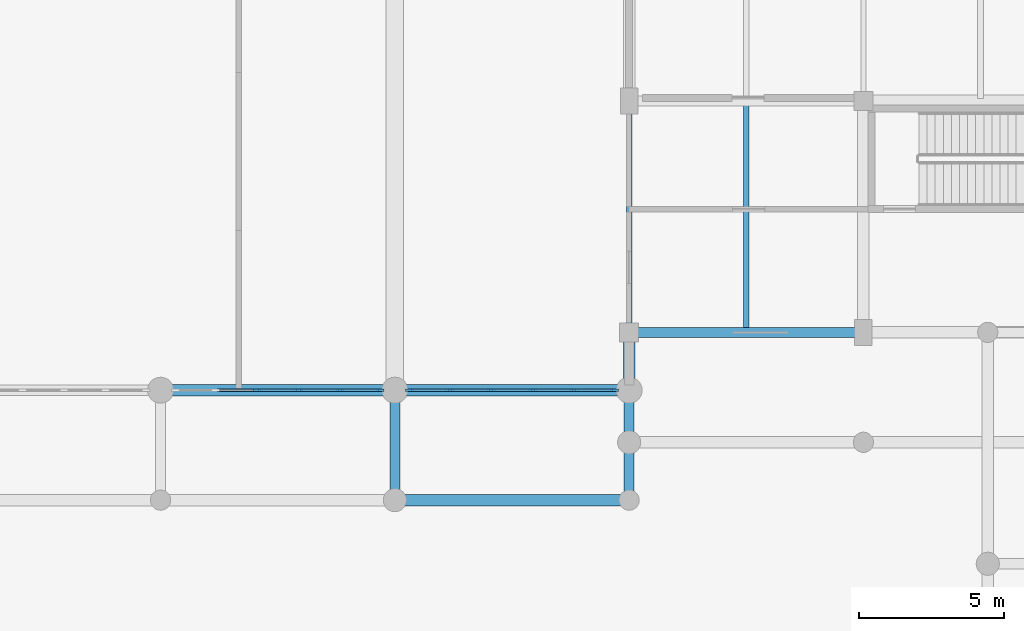
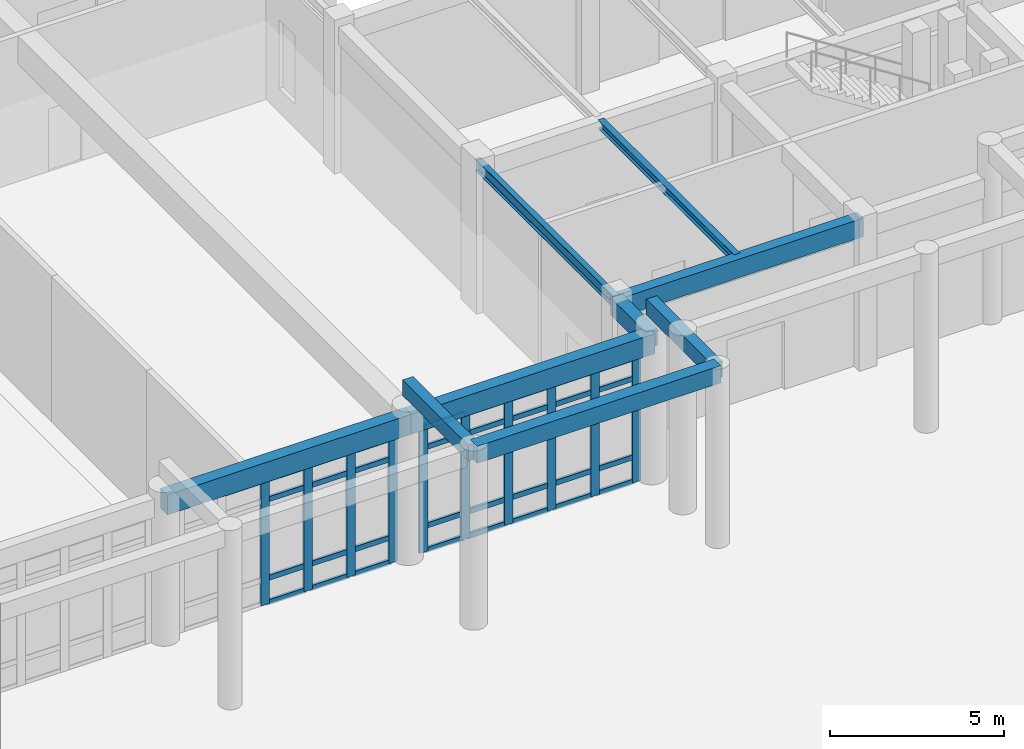
# One storey, part 9 of 62: 43 members, 9 beams, 2 elements without a shape of their own.
"""IFC4 building model written with IfcOpenShell, lengths in metres."""

from ifc_helpers import new_model, si_unit, direction, frame, origin, origin_2d, place, context, subcontext, project, spatial, rectangle, i_section, extrude, material, material_profile, profile_set, type_object, element, aggregate, save


model = new_model("IFC4")

# Units and contexts
model_context = context("Model", 3, precision=1e-05, world=origin(), true_north=direction((0.0, 1.0)))
body_context = subcontext(model_context, "Body", "Model", "MODEL_VIEW")
ifc_project = project(units=[si_unit("LENGTHUNIT", "METRE"), si_unit("AREAUNIT", "SQUARE_METRE"), si_unit("VOLUMEUNIT", "CUBIC_METRE"), si_unit("PLANEANGLEUNIT", "RADIAN"), si_unit("MASSUNIT", "GRAM", prefix="KILO")], contexts=[model_context])

# Site, building, storey
site_placement = place(None, origin())
site = spatial("IfcSite", under=ifc_project, at=site_placement, CompositionType="ELEMENT")
building_placement = place(site_placement, origin())
building = spatial("IfcBuilding", under=site, at=building_placement, Name="Tarnveldt Square Police Headquarters", CompositionType="ELEMENT")
storey_placement = place(building_placement, origin())
storey = spatial("IfcBuildingStorey", under=building, at=storey_placement, Name="L00", CompositionType="ELEMENT", Elevation=0.0)

# Beams
ifc_material_1 = material(Name="Concrete 40 MPa", Category="concrete")
ifc_material_profile_1 = material_profile(ifc_material_1, rectangle(XDim=0.35009765625, YDim=0.550048828125, at=origin_2d()), Name="RC-B350x550")
ifc_profile_set_1 = profile_set([ifc_material_profile_1], Name="Concrete 40 MPa")
beam_type_1 = type_object("IfcBeamType", Name="BM-RC350x550", PredefinedType="BEAM", material=ifc_profile_set_1)
for number, where, z_axis, x_axis, name in (
    (1, (113.39990234375, 18.199951171875, 6.0), (0.0, 1.0, 0.0), (-1.0, 0.0, 0.0), "Colonnade Tie Beam MH-14"),
    (2, (121.5, 18.199951171875, 6.0), (0.0, 1.0, 0.0), (-1.0, 0.0, 0.0), "Colonnade Tie Beam MH-15"),
):
    element("IfcBeam", number, at=place(storey_placement, frame(where, z_axis=z_axis, x_axis=x_axis)), inside=storey, type_object=beam_type_1, Name=name, PredefinedType="BEAM", context=body_context, shape_type="SweptSolid", body=[
        extrude(rectangle(XDim=0.35009765625, YDim=0.550048828125, at=origin_2d()), origin(), (0.0, 0.0, 1.0), 3.800048828125),
    ])
ifc_material_profile_2 = material_profile(ifc_material_1, rectangle(XDim=0.39990234375, YDim=0.60009765625, at=origin_2d()), Name="RC-B400x600")
ifc_profile_set_2 = profile_set([ifc_material_profile_2], Name="Concrete 40 MPa")
beam_type_2 = type_object("IfcBeamType", Name="BM-RC400x600", PredefinedType="BEAM", material=ifc_profile_set_2)
beam_1_placement = place(storey_placement, frame((121.5, 22.0, 4.820068359375), z_axis=(0.0, 1.0, 0.0), x_axis=(-1.0, 0.0, 0.0)))
element("IfcBeam", 3, at=beam_1_placement, inside=storey, type_object=beam_type_2, Name="L01 Grid Girder Y-0423", PredefinedType="BEAM", context=body_context, shape_type="SweptSolid", body=[
    extrude(rectangle(XDim=0.39990234375, YDim=0.60009765625, at=origin_2d()), origin(), (0.0, 0.0, 1.0), 2.0),
])
beam_2_placement = place(storey_placement, frame((113.39990234375, 18.199951171875, 6.0), z_axis=(1.0, 0.0, 0.0), x_axis=(0.0, 1.0, 0.0)))
element("IfcBeam", 4, at=beam_2_placement, inside=storey, type_object=beam_type_2, Name="Colonnade Header Beam MH-14", PredefinedType="BEAM", context=body_context, shape_type="SweptSolid", body=[
    extrude(rectangle(XDim=0.39990234375, YDim=0.60009765625, at=origin_2d()), origin(), (0.0, 0.0, 1.0), 8.10009765625),
])
ifc_material_profile_3 = material_profile(ifc_material_1, rectangle(XDim=0.39990234375, YDim=0.699951171875, at=origin_2d()), Name="RC-B400x700")
ifc_profile_set_3 = profile_set([ifc_material_profile_3], Name="Concrete 40 MPa")
beam_type_3 = type_object("IfcBeamType", Name="BM-RC400x700", PredefinedType="BEAM", material=ifc_profile_set_3)
beam_3_placement = place(storey_placement, frame((105.300048828125, 22.0, 4.77001953125), z_axis=(1.0, 0.0, 0.0), x_axis=(0.0, 1.0, 0.0)))
element("IfcBeam", 5, at=beam_3_placement, inside=storey, type_object=beam_type_3, Name="L01 Grid Girder X-0242", PredefinedType="BEAM", context=body_context, shape_type="SweptSolid", body=[
    extrude(rectangle(XDim=0.39990234375, YDim=0.699951171875, at=origin_2d()), origin(), (0.0, 0.0, 1.0), 8.099853515625),
])
beam_4_placement = place(storey_placement, frame((113.39990234375, 22.0, 4.77001953125), z_axis=(1.0, 0.0, 0.0), x_axis=(0.0, 1.0, 0.0)))
element("IfcBeam", 6, at=beam_4_placement, inside=storey, type_object=beam_type_3, Name="L01 Grid Girder X-0243", PredefinedType="BEAM", context=body_context, shape_type="SweptSolid", body=[
    extrude(rectangle(XDim=0.39990234375, YDim=0.699951171875, at=origin_2d()), origin(), (0.0, 0.0, 1.0), 8.10009765625),
])
ifc_material_profile_4 = material_profile(ifc_material_1, rectangle(XDim=0.35009765625, YDim=0.64990234375, at=origin_2d()), Name="RC-SP350x650")
ifc_profile_set_4 = profile_set([ifc_material_profile_4], Name="Concrete 40 MPa")
beam_type_4 = type_object("IfcBeamType", Name="BM-SP350x650", PredefinedType="SPANDREL", material=ifc_profile_set_4)
beam_5_placement = place(storey_placement, frame((121.5, 24.0, 4.794921875), z_axis=(1.0, 0.0, 0.0), x_axis=(0.0, 1.0, 0.0)))
element("IfcBeam", 7, at=beam_5_placement, inside=storey, type_object=beam_type_4, Name="L01 Grid Girder X-0247", PredefinedType="SPANDREL", context=body_context, shape_type="SweptSolid", body=[
    extrude(rectangle(XDim=0.35009765625, YDim=0.64990234375, at=origin_2d()), origin(), (0.0, 0.0, 1.0), 8.10009765625),
])
ifc_material_2 = material(Name="Steel 350W", Category="steel")
ifc_material_profile_5 = material_profile(ifc_material_2, i_section(OverallWidth=0.202880859375, OverallDepth=0.302978515625, WebThickness=0.007568359375, FlangeThickness=0.01318359375, FilletRadius=0.014892578125, at=origin_2d()), Name="W310x60")
ifc_profile_set_5 = profile_set([ifc_material_profile_5], Name="Steel 350W")
beam_type_5 = type_object("IfcBeamType", Name="BM-W310x60", PredefinedType="JOIST", material=ifc_profile_set_5)
beam_6_placement = place(storey_placement, frame((125.550048828125, 24.080078125, 4.968505859375), z_axis=(0.0, 1.0, 0.0), x_axis=(-1.0, 0.0, 0.0)))
element("IfcBeam", 8, at=beam_6_placement, inside=storey, type_object=beam_type_5, Name="L01 Secondary Floor Joist 0056", PredefinedType="JOIST", context=body_context, shape_type="SweptSolid", body=[
    extrude(i_section(OverallWidth=0.202880859375, OverallDepth=0.302978515625, WebThickness=0.007568359375, FlangeThickness=0.01318359375, FilletRadius=0.014892578125, at=origin_2d()), origin(), (0.0, 0.0, 1.0), 7.83984375),
])
ifc_material_profile_6 = material_profile(ifc_material_2, i_section(OverallWidth=0.180908203125, OverallDepth=0.4169921875, WebThickness=0.010986328125, FlangeThickness=0.018310546875, FilletRadius=0.01611328125, at=origin_2d()), Name="W410x85")
ifc_profile_set_6 = profile_set([ifc_material_profile_6], Name="Steel 350W")
beam_type_6 = type_object("IfcBeamType", Name="BM-W410x85", PredefinedType="BEAM", material=ifc_profile_set_6)
beam_7_placement = place(storey_placement, frame((121.5, 24.0, 4.91162109375), z_axis=(0.0, 1.0, 0.0), x_axis=(-1.0, 0.0, 0.0)))
element("IfcBeam", 9, at=beam_7_placement, inside=storey, type_object=beam_type_6, Name="L01 Grid Girder Y-0424", PredefinedType="BEAM", context=body_context, shape_type="SweptSolid", body=[
    extrude(i_section(OverallWidth=0.180908203125, OverallDepth=0.4169921875, WebThickness=0.010986328125, FlangeThickness=0.018310546875, FilletRadius=0.01611328125, at=origin_2d()), origin(), (0.0, 0.0, 1.0), 8.0),
])

# Curtain wall, members
ifc_material_3 = material(Name="Triple-glazed low-e laminated vision glass", Category="glass")
curtain_wall_type = type_object("IfcCurtainWallType", Name="CW-EH-717x441", PredefinedType="USERDEFINED", material=ifc_material_3)
curtain_wall_1_placement = place(storey_placement, origin())
curtain_wall_1 = element("IfcCurtainWall", 10, at=curtain_wall_1_placement, inside=storey, type_object=curtain_wall_type, Name="L00 Curtain Wall CW-L00-005", ObjectType="GLAZED CURTAIN WALL", PredefinedType="USERDEFINED")
ifc_material_4 = material(Name="Thermally broken anodised aluminium 6063-T6", Category="aluminium")
ifc_material_profile_7 = material_profile(ifc_material_4, rectangle(XDim=0.090087890625, YDim=0.280029296875, at=origin_2d()), Name="CW-M90x280")
ifc_profile_set_7 = profile_set([ifc_material_profile_7], Name="Thermally broken anodised aluminium 6063-T6")
member_type_1 = type_object("IfcMemberType", Name="CWM-90x280", PredefinedType="MULLION", material=ifc_profile_set_7)
member_1_placement = place(storey_placement, frame((108.633056640625, 22.0, 0.0), z_axis=(0.0, 0.0, 1.0), x_axis=(0.0, 1.0, 0.0)))
member_1 = element("IfcMember", 11, at=member_1_placement, type_object=member_type_1, Name="CW-EH03 mullion 3", PredefinedType="MULLION", context=body_context, shape_type="SweptSolid", body=[
    extrude(rectangle(XDim=0.090087890625, YDim=0.280029296875, at=origin_2d()), origin(), (0.0, 0.0, 1.0), 4.412109375),
])
member_2_placement = place(storey_placement, frame((110.06689453125, 22.0, 0.0), z_axis=(0.0, 0.0, 1.0), x_axis=(0.0, 1.0, 0.0)))
member_2 = element("IfcMember", 12, at=member_2_placement, type_object=member_type_1, Name="CW-EH03 mullion 4", PredefinedType="MULLION", context=body_context, shape_type="SweptSolid", body=[
    extrude(rectangle(XDim=0.090087890625, YDim=0.280029296875, at=origin_2d()), origin(), (0.0, 0.0, 1.0), 4.412109375),
])
member_3_placement = place(storey_placement, frame((111.5009765625, 22.0, 0.0), z_axis=(0.0, 0.0, 1.0), x_axis=(0.0, 1.0, 0.0)))
member_3 = element("IfcMember", 13, at=member_3_placement, type_object=member_type_1, Name="CW-EH03 mullion 5", PredefinedType="MULLION", context=body_context, shape_type="SweptSolid", body=[
    extrude(rectangle(XDim=0.090087890625, YDim=0.280029296875, at=origin_2d()), origin(), (0.0, 0.0, 1.0), 4.412109375),
])
member_4_placement = place(storey_placement, frame((112.889892578125, 22.0, 0.0), z_axis=(0.0, 0.0, 1.0), x_axis=(0.0, 1.0, 0.0)))
member_4 = element("IfcMember", 14, at=member_4_placement, type_object=member_type_1, Name="CW-EH03 mullion 6", PredefinedType="MULLION", context=body_context, shape_type="SweptSolid", body=[
    extrude(rectangle(XDim=0.090087890625, YDim=0.280029296875, at=origin_2d()), origin(), (0.0, 0.0, 1.0), 4.412109375),
])

curtain_wall_2_placement = place(storey_placement, origin())
curtain_wall_2 = element("IfcCurtainWall", 15, at=curtain_wall_2_placement, inside=storey, type_object=curtain_wall_type, Name="L00 Curtain Wall CW-L00-006", ObjectType="GLAZED CURTAIN WALL", PredefinedType="USERDEFINED")
member_5_placement = place(storey_placement, frame((113.909912109375, 22.0, 0.0), z_axis=(0.0, 0.0, 1.0), x_axis=(0.0, 1.0, 0.0)))
member_5 = element("IfcMember", 16, at=member_5_placement, type_object=member_type_1, Name="CW-EH03 mullion 1", PredefinedType="MULLION", context=body_context, shape_type="SweptSolid", body=[
    extrude(rectangle(XDim=0.090087890625, YDim=0.280029296875, at=origin_2d()), origin(), (0.0, 0.0, 1.0), 4.412109375),
])
member_6_placement = place(storey_placement, frame((115.299072265625, 22.0, 0.0), z_axis=(0.0, 0.0, 1.0), x_axis=(0.0, 1.0, 0.0)))
member_6 = element("IfcMember", 17, at=member_6_placement, type_object=member_type_1, Name="CW-EH03 mullion 2", PredefinedType="MULLION", context=body_context, shape_type="SweptSolid", body=[
    extrude(rectangle(XDim=0.090087890625, YDim=0.280029296875, at=origin_2d()), origin(), (0.0, 0.0, 1.0), 4.412109375),
])
member_7_placement = place(storey_placement, frame((116.73291015625, 22.0, 0.0), z_axis=(0.0, 0.0, 1.0), x_axis=(0.0, 1.0, 0.0)))
member_7 = element("IfcMember", 18, at=member_7_placement, type_object=member_type_1, Name="CW-EH03 mullion 3", PredefinedType="MULLION", context=body_context, shape_type="SweptSolid", body=[
    extrude(rectangle(XDim=0.090087890625, YDim=0.280029296875, at=origin_2d()), origin(), (0.0, 0.0, 1.0), 4.412109375),
])
member_8_placement = place(storey_placement, frame((118.1669921875, 22.0, 0.0), z_axis=(0.0, 0.0, 1.0), x_axis=(0.0, 1.0, 0.0)))
member_8 = element("IfcMember", 19, at=member_8_placement, type_object=member_type_1, Name="CW-EH03 mullion 4", PredefinedType="MULLION", context=body_context, shape_type="SweptSolid", body=[
    extrude(rectangle(XDim=0.090087890625, YDim=0.280029296875, at=origin_2d()), origin(), (0.0, 0.0, 1.0), 4.412109375),
])
member_9_placement = place(storey_placement, frame((119.60107421875, 22.0, 0.0), z_axis=(0.0, 0.0, 1.0), x_axis=(0.0, 1.0, 0.0)))
member_9 = element("IfcMember", 20, at=member_9_placement, type_object=member_type_1, Name="CW-EH03 mullion 5", PredefinedType="MULLION", context=body_context, shape_type="SweptSolid", body=[
    extrude(rectangle(XDim=0.090087890625, YDim=0.280029296875, at=origin_2d()), origin(), (0.0, 0.0, 1.0), 4.412109375),
])
member_10_placement = place(storey_placement, frame((120.989990234375, 22.0, 0.0), z_axis=(0.0, 0.0, 1.0), x_axis=(0.0, 1.0, 0.0)))
member_10 = element("IfcMember", 21, at=member_10_placement, type_object=member_type_1, Name="CW-EH03 mullion 6", PredefinedType="MULLION", context=body_context, shape_type="SweptSolid", body=[
    extrude(rectangle(XDim=0.090087890625, YDim=0.280029296875, at=origin_2d()), origin(), (0.0, 0.0, 1.0), 4.412109375),
])

# Member
ifc_material_profile_8 = material_profile(ifc_material_4, rectangle(XDim=0.0849609375, YDim=0.179931640625, at=origin_2d()), Name="CW-T85x180")
ifc_profile_set_8 = profile_set([ifc_material_profile_8], Name="Thermally broken anodised aluminium 6063-T6")
member_type_2 = type_object("IfcMemberType", Name="CWT-85x180", PredefinedType="USERDEFINED", material=ifc_profile_set_8)
member_11_placement = place(storey_placement, frame((107.243896484375, 22.0, 4.369384765625), z_axis=(1.0, 0.0, 0.0), x_axis=(0.0, 1.0, 0.0)))
member_11 = element("IfcMember", 22, at=member_11_placement, type_object=member_type_2, Name="CW-EH03 transom 2.4", ObjectType="TRANSOM", PredefinedType="USERDEFINED", context=body_context, shape_type="SweptSolid", body=[
    extrude(rectangle(XDim=0.0849609375, YDim=0.179931640625, at=origin_2d()), origin(), (0.0, 0.0, 1.0), 1.343994140625),
])

member_12_placement = place(storey_placement, frame((108.677978515625, 22.0, 0.04248046875), z_axis=(1.0, 0.0, 0.0), x_axis=(0.0, 1.0, 0.0)))
member_12 = element("IfcMember", 23, at=member_12_placement, type_object=member_type_2, Name="CW-EH03 transom 3.1", ObjectType="TRANSOM", PredefinedType="USERDEFINED", context=body_context, shape_type="SweptSolid", body=[
    extrude(rectangle(XDim=0.0849609375, YDim=0.179931640625, at=origin_2d()), origin(), (0.0, 0.0, 1.0), 1.343994140625),
])

member_13_placement = place(storey_placement, frame((108.677978515625, 22.0, 0.89990234375), z_axis=(1.0, 0.0, 0.0), x_axis=(0.0, 1.0, 0.0)))
member_13 = element("IfcMember", 24, at=member_13_placement, type_object=member_type_2, Name="CW-EH03 transom 3.2", ObjectType="TRANSOM", PredefinedType="USERDEFINED", context=body_context, shape_type="SweptSolid", body=[
    extrude(rectangle(XDim=0.0849609375, YDim=0.179931640625, at=origin_2d()), origin(), (0.0, 0.0, 1.0), 1.343994140625),
])

member_14_placement = place(storey_placement, frame((108.677978515625, 22.0, 3.662109375), z_axis=(1.0, 0.0, 0.0), x_axis=(0.0, 1.0, 0.0)))
member_14 = element("IfcMember", 25, at=member_14_placement, type_object=member_type_2, Name="CW-EH03 transom 3.3", ObjectType="TRANSOM", PredefinedType="USERDEFINED", context=body_context, shape_type="SweptSolid", body=[
    extrude(rectangle(XDim=0.0849609375, YDim=0.179931640625, at=origin_2d()), origin(), (0.0, 0.0, 1.0), 1.343994140625),
])

member_15_placement = place(storey_placement, frame((108.677978515625, 22.0, 4.369384765625), z_axis=(1.0, 0.0, 0.0), x_axis=(0.0, 1.0, 0.0)))
member_15 = element("IfcMember", 26, at=member_15_placement, type_object=member_type_2, Name="CW-EH03 transom 3.4", ObjectType="TRANSOM", PredefinedType="USERDEFINED", context=body_context, shape_type="SweptSolid", body=[
    extrude(rectangle(XDim=0.0849609375, YDim=0.179931640625, at=origin_2d()), origin(), (0.0, 0.0, 1.0), 1.343994140625),
])

member_16_placement = place(storey_placement, frame((110.112060546875, 22.0, 0.04248046875), z_axis=(1.0, 0.0, 0.0), x_axis=(0.0, 1.0, 0.0)))
member_16 = element("IfcMember", 27, at=member_16_placement, type_object=member_type_2, Name="CW-EH03 transom 4.1", ObjectType="TRANSOM", PredefinedType="USERDEFINED", context=body_context, shape_type="SweptSolid", body=[
    extrude(rectangle(XDim=0.0849609375, YDim=0.179931640625, at=origin_2d()), origin(), (0.0, 0.0, 1.0), 1.343994140625),
])

member_17_placement = place(storey_placement, frame((110.112060546875, 22.0, 0.89990234375), z_axis=(1.0, 0.0, 0.0), x_axis=(0.0, 1.0, 0.0)))
member_17 = element("IfcMember", 28, at=member_17_placement, type_object=member_type_2, Name="CW-EH03 transom 4.2", ObjectType="TRANSOM", PredefinedType="USERDEFINED", context=body_context, shape_type="SweptSolid", body=[
    extrude(rectangle(XDim=0.0849609375, YDim=0.179931640625, at=origin_2d()), origin(), (0.0, 0.0, 1.0), 1.343994140625),
])

member_18_placement = place(storey_placement, frame((110.112060546875, 22.0, 3.662109375), z_axis=(1.0, 0.0, 0.0), x_axis=(0.0, 1.0, 0.0)))
member_18 = element("IfcMember", 29, at=member_18_placement, type_object=member_type_2, Name="CW-EH03 transom 4.3", ObjectType="TRANSOM", PredefinedType="USERDEFINED", context=body_context, shape_type="SweptSolid", body=[
    extrude(rectangle(XDim=0.0849609375, YDim=0.179931640625, at=origin_2d()), origin(), (0.0, 0.0, 1.0), 1.343994140625),
])

member_19_placement = place(storey_placement, frame((110.112060546875, 22.0, 4.369384765625), z_axis=(1.0, 0.0, 0.0), x_axis=(0.0, 1.0, 0.0)))
member_19 = element("IfcMember", 30, at=member_19_placement, type_object=member_type_2, Name="CW-EH03 transom 4.4", ObjectType="TRANSOM", PredefinedType="USERDEFINED", context=body_context, shape_type="SweptSolid", body=[
    extrude(rectangle(XDim=0.0849609375, YDim=0.179931640625, at=origin_2d()), origin(), (0.0, 0.0, 1.0), 1.343994140625),
])

member_20_placement = place(storey_placement, frame((111.5458984375, 22.0, 0.04248046875), z_axis=(1.0, 0.0, 0.0), x_axis=(0.0, 1.0, 0.0)))
member_20 = element("IfcMember", 31, at=member_20_placement, type_object=member_type_2, Name="CW-EH03 transom 5.1", ObjectType="TRANSOM", PredefinedType="USERDEFINED", context=body_context, shape_type="SweptSolid", body=[
    extrude(rectangle(XDim=0.0849609375, YDim=0.179931640625, at=origin_2d()), origin(), (0.0, 0.0, 1.0), 1.299072265625),
])

member_21_placement = place(storey_placement, frame((111.5458984375, 22.0, 0.89990234375), z_axis=(1.0, 0.0, 0.0), x_axis=(0.0, 1.0, 0.0)))
member_21 = element("IfcMember", 32, at=member_21_placement, type_object=member_type_2, Name="CW-EH03 transom 5.2", ObjectType="TRANSOM", PredefinedType="USERDEFINED", context=body_context, shape_type="SweptSolid", body=[
    extrude(rectangle(XDim=0.0849609375, YDim=0.179931640625, at=origin_2d()), origin(), (0.0, 0.0, 1.0), 1.299072265625),
])

member_22_placement = place(storey_placement, frame((111.5458984375, 22.0, 3.662109375), z_axis=(1.0, 0.0, 0.0), x_axis=(0.0, 1.0, 0.0)))
member_22 = element("IfcMember", 33, at=member_22_placement, type_object=member_type_2, Name="CW-EH03 transom 5.3", ObjectType="TRANSOM", PredefinedType="USERDEFINED", context=body_context, shape_type="SweptSolid", body=[
    extrude(rectangle(XDim=0.0849609375, YDim=0.179931640625, at=origin_2d()), origin(), (0.0, 0.0, 1.0), 1.299072265625),
])

member_23_placement = place(storey_placement, frame((111.5458984375, 22.0, 4.369384765625), z_axis=(1.0, 0.0, 0.0), x_axis=(0.0, 1.0, 0.0)))
member_23 = element("IfcMember", 34, at=member_23_placement, type_object=member_type_2, Name="CW-EH03 transom 5.4", ObjectType="TRANSOM", PredefinedType="USERDEFINED", context=body_context, shape_type="SweptSolid", body=[
    extrude(rectangle(XDim=0.0849609375, YDim=0.179931640625, at=origin_2d()), origin(), (0.0, 0.0, 1.0), 1.299072265625),
])

aggregate(curtain_wall_1, [member_1, member_2, member_3, member_4, member_11, member_12, member_13, member_14, member_15, member_16, member_17, member_18, member_19, member_20, member_21, member_22, member_23])

member_24_placement = place(storey_placement, frame((113.955078125, 22.0, 0.04248046875), z_axis=(1.0, 0.0, 0.0), x_axis=(0.0, 1.0, 0.0)))
member_24 = element("IfcMember", 35, at=member_24_placement, type_object=member_type_2, Name="CW-EH03 transom 1.1", ObjectType="TRANSOM", PredefinedType="USERDEFINED", context=body_context, shape_type="SweptSolid", body=[
    extrude(rectangle(XDim=0.0849609375, YDim=0.179931640625, at=origin_2d()), origin(), (0.0, 0.0, 1.0), 1.298828125),
])

member_25_placement = place(storey_placement, frame((113.955078125, 22.0, 0.89990234375), z_axis=(1.0, 0.0, 0.0), x_axis=(0.0, 1.0, 0.0)))
member_25 = element("IfcMember", 36, at=member_25_placement, type_object=member_type_2, Name="CW-EH03 transom 1.2", ObjectType="TRANSOM", PredefinedType="USERDEFINED", context=body_context, shape_type="SweptSolid", body=[
    extrude(rectangle(XDim=0.0849609375, YDim=0.179931640625, at=origin_2d()), origin(), (0.0, 0.0, 1.0), 1.298828125),
])

member_26_placement = place(storey_placement, frame((113.955078125, 22.0, 3.662109375), z_axis=(1.0, 0.0, 0.0), x_axis=(0.0, 1.0, 0.0)))
member_26 = element("IfcMember", 37, at=member_26_placement, type_object=member_type_2, Name="CW-EH03 transom 1.3", ObjectType="TRANSOM", PredefinedType="USERDEFINED", context=body_context, shape_type="SweptSolid", body=[
    extrude(rectangle(XDim=0.0849609375, YDim=0.179931640625, at=origin_2d()), origin(), (0.0, 0.0, 1.0), 1.298828125),
])

member_27_placement = place(storey_placement, frame((113.955078125, 22.0, 4.369384765625), z_axis=(1.0, 0.0, 0.0), x_axis=(0.0, 1.0, 0.0)))
member_27 = element("IfcMember", 38, at=member_27_placement, type_object=member_type_2, Name="CW-EH03 transom 1.4", ObjectType="TRANSOM", PredefinedType="USERDEFINED", context=body_context, shape_type="SweptSolid", body=[
    extrude(rectangle(XDim=0.0849609375, YDim=0.179931640625, at=origin_2d()), origin(), (0.0, 0.0, 1.0), 1.298828125),
])

member_28_placement = place(storey_placement, frame((115.343994140625, 22.0, 0.04248046875), z_axis=(1.0, 0.0, 0.0), x_axis=(0.0, 1.0, 0.0)))
member_28 = element("IfcMember", 39, at=member_28_placement, type_object=member_type_2, Name="CW-EH03 transom 2.1", ObjectType="TRANSOM", PredefinedType="USERDEFINED", context=body_context, shape_type="SweptSolid", body=[
    extrude(rectangle(XDim=0.0849609375, YDim=0.179931640625, at=origin_2d()), origin(), (0.0, 0.0, 1.0), 1.343994140625),
])

member_29_placement = place(storey_placement, frame((115.343994140625, 22.0, 0.89990234375), z_axis=(1.0, 0.0, 0.0), x_axis=(0.0, 1.0, 0.0)))
member_29 = element("IfcMember", 40, at=member_29_placement, type_object=member_type_2, Name="CW-EH03 transom 2.2", ObjectType="TRANSOM", PredefinedType="USERDEFINED", context=body_context, shape_type="SweptSolid", body=[
    extrude(rectangle(XDim=0.0849609375, YDim=0.179931640625, at=origin_2d()), origin(), (0.0, 0.0, 1.0), 1.343994140625),
])

member_30_placement = place(storey_placement, frame((115.343994140625, 22.0, 3.662109375), z_axis=(1.0, 0.0, 0.0), x_axis=(0.0, 1.0, 0.0)))
member_30 = element("IfcMember", 41, at=member_30_placement, type_object=member_type_2, Name="CW-EH03 transom 2.3", ObjectType="TRANSOM", PredefinedType="USERDEFINED", context=body_context, shape_type="SweptSolid", body=[
    extrude(rectangle(XDim=0.0849609375, YDim=0.179931640625, at=origin_2d()), origin(), (0.0, 0.0, 1.0), 1.343994140625),
])

member_31_placement = place(storey_placement, frame((115.343994140625, 22.0, 4.369384765625), z_axis=(1.0, 0.0, 0.0), x_axis=(0.0, 1.0, 0.0)))
member_31 = element("IfcMember", 42, at=member_31_placement, type_object=member_type_2, Name="CW-EH03 transom 2.4", ObjectType="TRANSOM", PredefinedType="USERDEFINED", context=body_context, shape_type="SweptSolid", body=[
    extrude(rectangle(XDim=0.0849609375, YDim=0.179931640625, at=origin_2d()), origin(), (0.0, 0.0, 1.0), 1.343994140625),
])

member_32_placement = place(storey_placement, frame((116.778076171875, 22.0, 0.04248046875), z_axis=(1.0, 0.0, 0.0), x_axis=(0.0, 1.0, 0.0)))
member_32 = element("IfcMember", 43, at=member_32_placement, type_object=member_type_2, Name="CW-EH03 transom 3.1", ObjectType="TRANSOM", PredefinedType="USERDEFINED", context=body_context, shape_type="SweptSolid", body=[
    extrude(rectangle(XDim=0.0849609375, YDim=0.179931640625, at=origin_2d()), origin(), (0.0, 0.0, 1.0), 1.343994140625),
])

member_33_placement = place(storey_placement, frame((116.778076171875, 22.0, 0.89990234375), z_axis=(1.0, 0.0, 0.0), x_axis=(0.0, 1.0, 0.0)))
member_33 = element("IfcMember", 44, at=member_33_placement, type_object=member_type_2, Name="CW-EH03 transom 3.2", ObjectType="TRANSOM", PredefinedType="USERDEFINED", context=body_context, shape_type="SweptSolid", body=[
    extrude(rectangle(XDim=0.0849609375, YDim=0.179931640625, at=origin_2d()), origin(), (0.0, 0.0, 1.0), 1.343994140625),
])

member_34_placement = place(storey_placement, frame((116.778076171875, 22.0, 3.662109375), z_axis=(1.0, 0.0, 0.0), x_axis=(0.0, 1.0, 0.0)))
member_34 = element("IfcMember", 45, at=member_34_placement, type_object=member_type_2, Name="CW-EH03 transom 3.3", ObjectType="TRANSOM", PredefinedType="USERDEFINED", context=body_context, shape_type="SweptSolid", body=[
    extrude(rectangle(XDim=0.0849609375, YDim=0.179931640625, at=origin_2d()), origin(), (0.0, 0.0, 1.0), 1.343994140625),
])

member_35_placement = place(storey_placement, frame((116.778076171875, 22.0, 4.369384765625), z_axis=(1.0, 0.0, 0.0), x_axis=(0.0, 1.0, 0.0)))
member_35 = element("IfcMember", 46, at=member_35_placement, type_object=member_type_2, Name="CW-EH03 transom 3.4", ObjectType="TRANSOM", PredefinedType="USERDEFINED", context=body_context, shape_type="SweptSolid", body=[
    extrude(rectangle(XDim=0.0849609375, YDim=0.179931640625, at=origin_2d()), origin(), (0.0, 0.0, 1.0), 1.343994140625),
])

member_36_placement = place(storey_placement, frame((118.2119140625, 22.0, 0.04248046875), z_axis=(1.0, 0.0, 0.0), x_axis=(0.0, 1.0, 0.0)))
member_36 = element("IfcMember", 47, at=member_36_placement, type_object=member_type_2, Name="CW-EH03 transom 4.1", ObjectType="TRANSOM", PredefinedType="USERDEFINED", context=body_context, shape_type="SweptSolid", body=[
    extrude(rectangle(XDim=0.0849609375, YDim=0.179931640625, at=origin_2d()), origin(), (0.0, 0.0, 1.0), 1.343994140625),
])

member_37_placement = place(storey_placement, frame((118.2119140625, 22.0, 0.89990234375), z_axis=(1.0, 0.0, 0.0), x_axis=(0.0, 1.0, 0.0)))
member_37 = element("IfcMember", 48, at=member_37_placement, type_object=member_type_2, Name="CW-EH03 transom 4.2", ObjectType="TRANSOM", PredefinedType="USERDEFINED", context=body_context, shape_type="SweptSolid", body=[
    extrude(rectangle(XDim=0.0849609375, YDim=0.179931640625, at=origin_2d()), origin(), (0.0, 0.0, 1.0), 1.343994140625),
])

member_38_placement = place(storey_placement, frame((118.2119140625, 22.0, 3.662109375), z_axis=(1.0, 0.0, 0.0), x_axis=(0.0, 1.0, 0.0)))
member_38 = element("IfcMember", 49, at=member_38_placement, type_object=member_type_2, Name="CW-EH03 transom 4.3", ObjectType="TRANSOM", PredefinedType="USERDEFINED", context=body_context, shape_type="SweptSolid", body=[
    extrude(rectangle(XDim=0.0849609375, YDim=0.179931640625, at=origin_2d()), origin(), (0.0, 0.0, 1.0), 1.343994140625),
])

member_39_placement = place(storey_placement, frame((118.2119140625, 22.0, 4.369384765625), z_axis=(1.0, 0.0, 0.0), x_axis=(0.0, 1.0, 0.0)))
member_39 = element("IfcMember", 50, at=member_39_placement, type_object=member_type_2, Name="CW-EH03 transom 4.4", ObjectType="TRANSOM", PredefinedType="USERDEFINED", context=body_context, shape_type="SweptSolid", body=[
    extrude(rectangle(XDim=0.0849609375, YDim=0.179931640625, at=origin_2d()), origin(), (0.0, 0.0, 1.0), 1.343994140625),
])

member_40_placement = place(storey_placement, frame((119.64599609375, 22.0, 0.04248046875), z_axis=(1.0, 0.0, 0.0), x_axis=(0.0, 1.0, 0.0)))
member_40 = element("IfcMember", 51, at=member_40_placement, type_object=member_type_2, Name="CW-EH03 transom 5.1", ObjectType="TRANSOM", PredefinedType="USERDEFINED", context=body_context, shape_type="SweptSolid", body=[
    extrude(rectangle(XDim=0.0849609375, YDim=0.179931640625, at=origin_2d()), origin(), (0.0, 0.0, 1.0), 1.299072265625),
])

member_41_placement = place(storey_placement, frame((119.64599609375, 22.0, 0.89990234375), z_axis=(1.0, 0.0, 0.0), x_axis=(0.0, 1.0, 0.0)))
member_41 = element("IfcMember", 52, at=member_41_placement, type_object=member_type_2, Name="CW-EH03 transom 5.2", ObjectType="TRANSOM", PredefinedType="USERDEFINED", context=body_context, shape_type="SweptSolid", body=[
    extrude(rectangle(XDim=0.0849609375, YDim=0.179931640625, at=origin_2d()), origin(), (0.0, 0.0, 1.0), 1.299072265625),
])

member_42_placement = place(storey_placement, frame((119.64599609375, 22.0, 3.662109375), z_axis=(1.0, 0.0, 0.0), x_axis=(0.0, 1.0, 0.0)))
member_42 = element("IfcMember", 53, at=member_42_placement, type_object=member_type_2, Name="CW-EH03 transom 5.3", ObjectType="TRANSOM", PredefinedType="USERDEFINED", context=body_context, shape_type="SweptSolid", body=[
    extrude(rectangle(XDim=0.0849609375, YDim=0.179931640625, at=origin_2d()), origin(), (0.0, 0.0, 1.0), 1.299072265625),
])

member_43_placement = place(storey_placement, frame((119.64599609375, 22.0, 4.369384765625), z_axis=(1.0, 0.0, 0.0), x_axis=(0.0, 1.0, 0.0)))
member_43 = element("IfcMember", 54, at=member_43_placement, type_object=member_type_2, Name="CW-EH03 transom 5.4", ObjectType="TRANSOM", PredefinedType="USERDEFINED", context=body_context, shape_type="SweptSolid", body=[
    extrude(rectangle(XDim=0.0849609375, YDim=0.179931640625, at=origin_2d()), origin(), (0.0, 0.0, 1.0), 1.299072265625),
])

aggregate(curtain_wall_2, [member_5, member_6, member_7, member_8, member_9, member_10, member_24, member_25, member_26, member_27, member_28, member_29, member_30, member_31, member_32, member_33, member_34, member_35, member_36, member_37, member_38, member_39, member_40, member_41, member_42, member_43])

save(model, "model.ifc")
